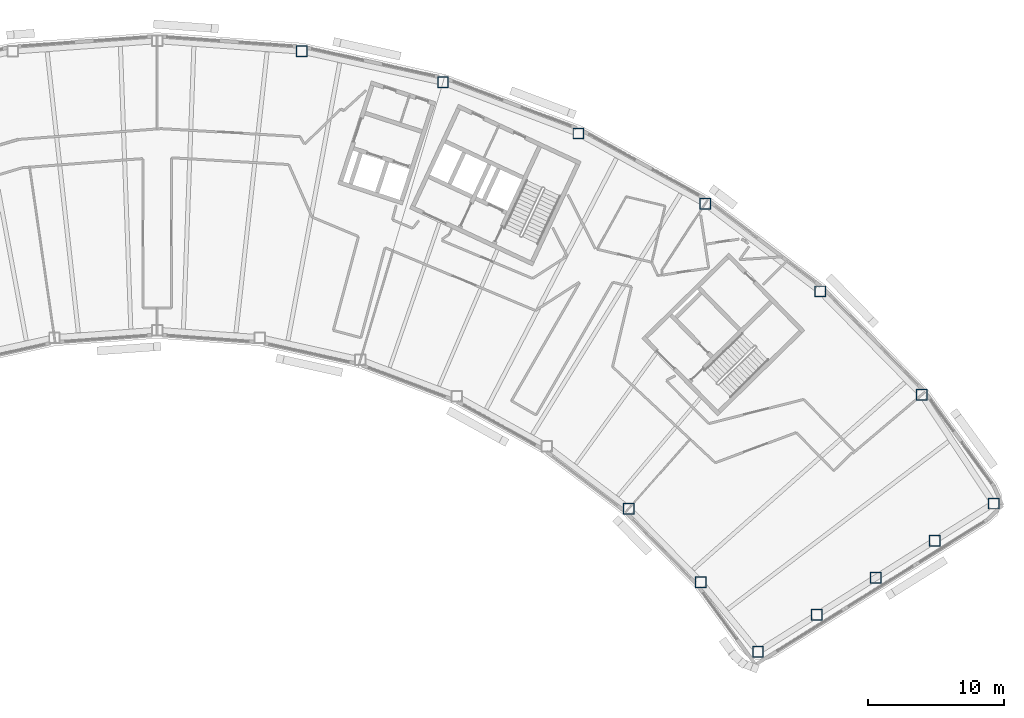
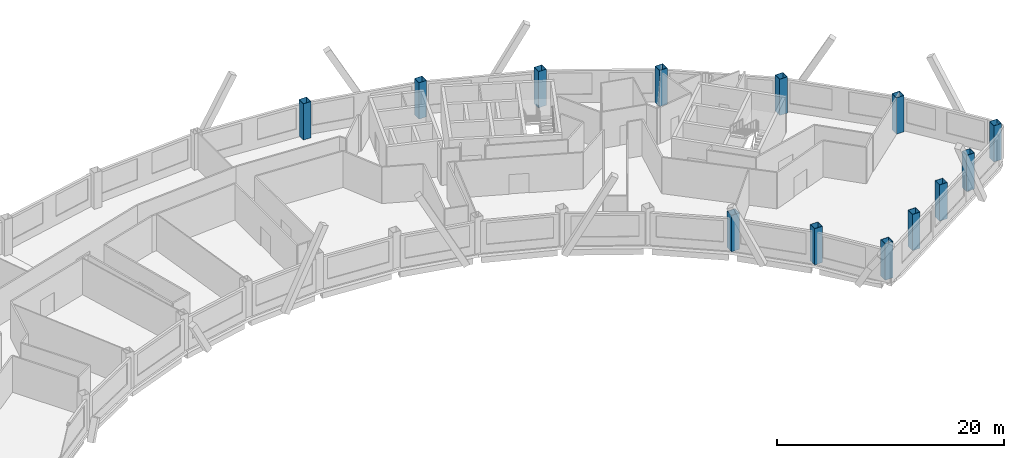
# One storey, part 2 of 13: 13 columns.
"""IFC4 building model written with IfcOpenShell, lengths in metres."""

import ifcopenshell
import ifcopenshell.guid

model = None  # the IFC model being written
_history = None  # IfcOwnerHistory: only IFC2X3 demands one
_inside = {}  # id of a spatial element -> (the spatial element, [elements in it])
_under = {}  # id of a project, library or spatial element -> (it, [spatial elements below it])
_declared = {}  # id of a project -> (the project, [libraries it declares])
_typed = {}  # id of a type object -> (the type object, [elements of that type])
_made_of = {}  # id of a material, layer set ... -> (it, [elements and type objects made of it])


def new_model(schema):
    """Start an empty IFC model of exactly this schema.

    Asked for "IFC4X3", IfcOpenShell would pick the latest addendum, in which some entities
    have other attributes; the version numbers below select the first issue.
    IFC2X3 requires an IfcOwnerHistory on every rooted entity: one is made here for all.
    """
    global model, _history
    if schema == "IFC4X3":
        model = ifcopenshell.file(schema_version=(4, 3, 0, 0))
    else:
        model = ifcopenshell.file(schema=schema)
    _inside.clear()
    _under.clear()
    _declared.clear()
    _typed.clear()
    _made_of.clear()
    _history = None
    if model.schema == "IFC2X3":
        org = make("IfcOrganization", Name="unknown")
        user = make(
            "IfcPersonAndOrganization",
            ThePerson=make("IfcPerson", FamilyName="unknown"),
            TheOrganization=org,
        )
        app = make(
            "IfcApplication",
            ApplicationDeveloper=org,
            Version="unknown",
            ApplicationFullName="unknown",
            ApplicationIdentifier="unknown",
        )
        _history = make(
            "IfcOwnerHistory",
            OwningUser=user,
            OwningApplication=app,
            ChangeAction="ADDED",
            CreationDate=0,
        )
    return model


def make(cls, **values):
    """One entity of the class cls with the attributes given. An attribute that is None is left unset."""
    return model.create_entity(
        cls, **{name: value for name, value in values.items() if value is not None}
    )


def rooted(cls, **values):
    """An entity with a GlobalId (a new one), such as an element, a storey or a relation."""
    return make(cls, GlobalId=ifcopenshell.guid.new(), OwnerHistory=_history, **values)


def si_unit(unit_type, name, prefix=None):
    """IfcSIUnit, for example si_unit("LENGTHUNIT", "METRE", prefix="MILLI")."""
    return make("IfcSIUnit", UnitType=unit_type, Prefix=prefix, Name=name)


def assignment(units):
    """IfcUnitAssignment: the units of a project."""
    return None if units is None else make("IfcUnitAssignment", Units=units)


def point(xyz):
    """IfcCartesianPoint."""
    return None if xyz is None else make("IfcCartesianPoint", Coordinates=xyz)


def direction(xyz):
    """IfcDirection."""
    return None if xyz is None else make("IfcDirection", DirectionRatios=xyz)


def frame(location, z_axis=None, x_axis=None):
    """IfcAxis2Placement3D, a coordinate frame: its origin and axes. An axis left out is left unset."""
    return make(
        "IfcAxis2Placement3D",
        Location=point(location),
        Axis=direction(z_axis),
        RefDirection=direction(x_axis),
    )


def frame_2d(location, x_axis=None):
    """IfcAxis2Placement2D, a coordinate frame in the plane: its origin and x axis."""
    return make(
        "IfcAxis2Placement2D", Location=point(location), RefDirection=direction(x_axis)
    )


def origin():
    """The frame at (0, 0, 0) with its axes left unset."""
    return frame((0.0, 0.0, 0.0))


def origin_2d():
    """The frame at (0, 0) in the plane with its x axis left unset."""
    return frame_2d((0.0, 0.0))


def place(relative_to, where):
    """IfcLocalPlacement: puts the frame where relative to a parent placement (None: the world)."""
    return make(
        "IfcLocalPlacement", PlacementRelTo=relative_to, RelativePlacement=where
    )


def context(
    kind, dimensions, precision=None, world=None, true_north=None, identifier=None
):
    """IfcGeometricRepresentationContext, for example the 3D "Model" context."""
    return make(
        "IfcGeometricRepresentationContext",
        ContextIdentifier=identifier,
        ContextType=kind,
        CoordinateSpaceDimension=dimensions,
        Precision=precision,
        WorldCoordinateSystem=world,
        TrueNorth=true_north,
    )


def subcontext(parent, identifier, kind, view, scale=None):
    """IfcGeometricRepresentationSubContext, for example "Body" below "Model"."""
    return make(
        "IfcGeometricRepresentationSubContext",
        ContextIdentifier=identifier,
        ContextType=kind,
        ParentContext=parent,
        TargetScale=scale,
        TargetView=view,
    )


def project(units=None, contexts=None):
    """IfcProject with its units and contexts."""
    return rooted(
        "IfcProject",
        Name="project",
        RepresentationContexts=contexts,
        UnitsInContext=assignment(units),
    )


def spatial(cls, under=None, at=None, **own):
    """A site, building, storey or space (cls), placed at a placement, below another one or the project."""
    s = rooted(cls, ObjectPlacement=at, **own)
    if under is not None:
        _under.setdefault(under.id(), (under, []))[1].append(s)
    return s


def profile(cls, at=None, kind="AREA", **sizes):
    """A parametric profile (cls). Its sizes go by their IFC names, for example OverallWidth=200.0."""
    return make(cls, ProfileType=kind, Position=at, **sizes)


def hollow_rectangle(**sizes):
    """IfcRectangleHollowProfileDef."""
    return profile("IfcRectangleHollowProfileDef", **sizes)


def extrude(swept, where, along, depth):
    """IfcExtrudedAreaSolid: the profile swept, set in the frame where, extruded along a direction by depth."""
    return make(
        "IfcExtrudedAreaSolid",
        SweptArea=swept,
        Position=where,
        ExtrudedDirection=direction(along),
        Depth=depth,
    )


def shape(context_of_items, identifier, shape_type, items):
    """IfcShapeRepresentation: the items that make up one representation, for example the "Body"."""
    return make(
        "IfcShapeRepresentation",
        ContextOfItems=context_of_items,
        RepresentationIdentifier=identifier,
        RepresentationType=shape_type,
        Items=items,
    )


def material(Name=None, Category=None):
    """IfcMaterial."""
    return make("IfcMaterial", Name=Name, Category=Category)


def material_profile(
    of_material, cross_section, Name=None, Category=None, Priority=None
):
    """IfcMaterialProfile: a cross section and its material."""
    return make(
        "IfcMaterialProfile",
        Name=Name,
        Material=of_material,
        Profile=cross_section,
        Priority=Priority,
        Category=Category,
    )


def profile_set(profiles, Name=None, composite=None):
    """IfcMaterialProfileSet."""
    return make(
        "IfcMaterialProfileSet",
        Name=Name,
        MaterialProfiles=profiles,
        CompositeProfile=composite,
    )


def made_of(thing, what):
    """Note that an element or type object is made of a material, layer set ...; save() writes the relation."""
    if what is not None:
        _made_of.setdefault(what.id(), (what, []))[1].append(thing)
    return thing


def type_object(cls, material=None, **own):
    """A type object (cls), such as IfcWallType, which elements share."""
    return made_of(rooted(cls, **own), material)


def element(
    cls,
    number,
    at=None,
    inside=None,
    cuts=None,
    type_object=None,
    material=None,
    context=None,
    identifier="Body",
    shape_type=None,
    held_by="IfcProductDefinitionShape",
    body=None,
    shapes=None,
    **own,
):
    """One element of the class cls, such as IfcWall. Its Tag is "e" and its number.

    at: its placement. inside: the storey or other place that contains it. cuts: it is an
    opening in that element (IfcRelVoidsElement). A single representation is given by context,
    identifier, shape_type and body (its items); several are given by shapes. held_by: the class
    of the entity that holds the representations. save() writes the other relations.
    """
    e = rooted(cls, Tag="e%d" % number, ObjectPlacement=at, **own)
    if body is not None:
        shapes = [shape(context, identifier, shape_type, body)]
    if shapes is not None:
        e.Representation = make(held_by, Representations=shapes)
    if inside is not None:
        _inside.setdefault(inside.id(), (inside, []))[1].append(e)
    if cuts is not None:
        rooted(
            "IfcRelVoidsElement", RelatingBuildingElement=cuts, RelatedOpeningElement=e
        )
    if type_object is not None:
        _typed.setdefault(type_object.id(), (type_object, []))[1].append(e)
    return made_of(e, material)


def aggregate(whole, parts):
    """IfcRelAggregates: a whole, such as a stair, and the parts it consists of."""
    return rooted("IfcRelAggregates", RelatingObject=whole, RelatedObjects=parts)


def save(model, path):
    """Write the relations noted so far, then the file.

    IfcRelAggregates (storeys below a building ...), IfcRelContainedInSpatialStructure (elements
    in a storey), IfcRelDefinesByType, IfcRelAssociatesMaterial and IfcRelDeclares: one each for
    every whole, place, type object, material and project.
    """
    for whole, parts in _under.values():
        aggregate(whole, parts)
    for where, things in _inside.values():
        rooted(
            "IfcRelContainedInSpatialStructure",
            RelatedElements=things,
            RelatingStructure=where,
        )
    for kind, things in _typed.values():
        rooted("IfcRelDefinesByType", RelatedObjects=things, RelatingType=kind)
    for what, things in _made_of.values():
        rooted("IfcRelAssociatesMaterial", RelatedObjects=things, RelatingMaterial=what)
    for by, libraries in _declared.values():
        rooted("IfcRelDeclares", RelatingContext=by, RelatedDefinitions=libraries)
    model.write(path)


model = new_model("IFC4")

# Units and contexts
model_context = context("Model", 3, precision=1e-05, world=origin(), true_north=direction((0.0, 1.0)))
body_context = subcontext(model_context, "Body", "Model", "MODEL_VIEW")
ifc_project = project(units=[si_unit("LENGTHUNIT", "METRE"), si_unit("AREAUNIT", "SQUARE_METRE"), si_unit("VOLUMEUNIT", "CUBIC_METRE"), si_unit("PLANEANGLEUNIT", "RADIAN"), si_unit("MASSUNIT", "GRAM", prefix="KILO")], contexts=[model_context])

# Site, building, storey
site_placement = place(None, origin())
site = spatial("IfcSite", under=ifc_project, at=site_placement, CompositionType="ELEMENT")
building_placement = place(site_placement, origin())
building = spatial("IfcBuilding", under=site, at=building_placement, Name="Tuul Gate Civic Tower", CompositionType="ELEMENT")
storey_placement = place(building_placement, frame((0.0, 0.0, 294.199951171875)))
storey = spatial("IfcBuildingStorey", under=building, at=storey_placement, Name="Level 66", CompositionType="ELEMENT", Elevation=294.199951171875)

# Columns
ifc_material = material(Name="Steel S355", Category="steel")
ifc_material_profile = material_profile(ifc_material, hollow_rectangle(XDim=0.800048828125, YDim=0.800048828125, WallThickness=0.031982421875, at=origin_2d()), Name="BOX800x800x32")
ifc_profile_set = profile_set([ifc_material_profile], Name="Steel S355")
column_type = type_object("IfcColumnType", Name="STR-COLUMN-BOX800x800x32", PredefinedType="COLUMN", material=ifc_profile_set)
for number, where, z_axis, x_axis, name in (
    (1, (68.458984375, -24.89697265625, 0.0), (0.0, 0.0, 1.0), (1.0, 0.0, 0.0), "Column"),
    (2, (63.159912109375, -16.884033203125, 0.0), (0.0, 0.0, 1.0), (1.0, 0.0, 0.0), "Column"),
    (3, (55.68603515625, -9.259033203125, 0.0), (0.0, 0.0, 1.0), (1.0, 0.0, 0.0), "Column"),
    (4, (47.19091796875, -2.791015625, 0.0), (0.0, 0.0, 1.0), (1.0, 0.0, 0.0), "Column"),
    (5, (37.85205078125, 2.385009765625, 0.0), (0.0, 0.0, 1.0), (1.0, 0.0, 0.0), "Column"),
    (6, (27.864990234375, 6.162109375, 0.0), (0.0, 0.0, 1.0), (1.0, 0.0, 0.0), "Column"),
    (7, (17.43798828125, 8.4599609375, 0.0), (0.0, 0.0, 1.0), (1.0, 0.0, 0.0), "Column"),
    (8, (41.554931640625, -25.27099609375, 0.0), (0.0, 0.0, 1.0), (1.0, 0.0, 0.0), "Column"),
    (9, (46.868896484375, -30.693115234375, 0.0), (0.0, 0.0, 1.0), (1.0, 0.0, 0.0), "Column"),
    (10, (51.089111328125, -35.8349609375, 0.0), (0.0, 0.0, 1.0), (1.0, 0.0, 0.0), "Column"),
    (11, (55.431884765625, -33.10009765625, 0.0), (0.0, 0.0, 1.0), (1.0, 0.0, 0.0), "Column"),
    (12, (59.77392578125, -30.365966796875, 0.0), (0.0, 0.0, 1.0), (1.0, 0.0, 0.0), "Column"),
    (13, (64.116943359375, -27.631103515625, 0.0), (0.0, 0.0, 1.0), (1.0, 0.0, 0.0), "Column"),
):
    element("IfcColumn", number, at=place(storey_placement, frame(where, z_axis=z_axis, x_axis=x_axis)), inside=storey, type_object=column_type, Name=name, PredefinedType="COLUMN", context=body_context, shape_type="SweptSolid", body=[
        extrude(hollow_rectangle(XDim=0.800048828125, YDim=0.800048828125, WallThickness=0.031982421875, at=origin_2d()), origin(), (0.0, 0.0, 1.0), 3.900146484375),
    ])

save(model, "model.ifc")
